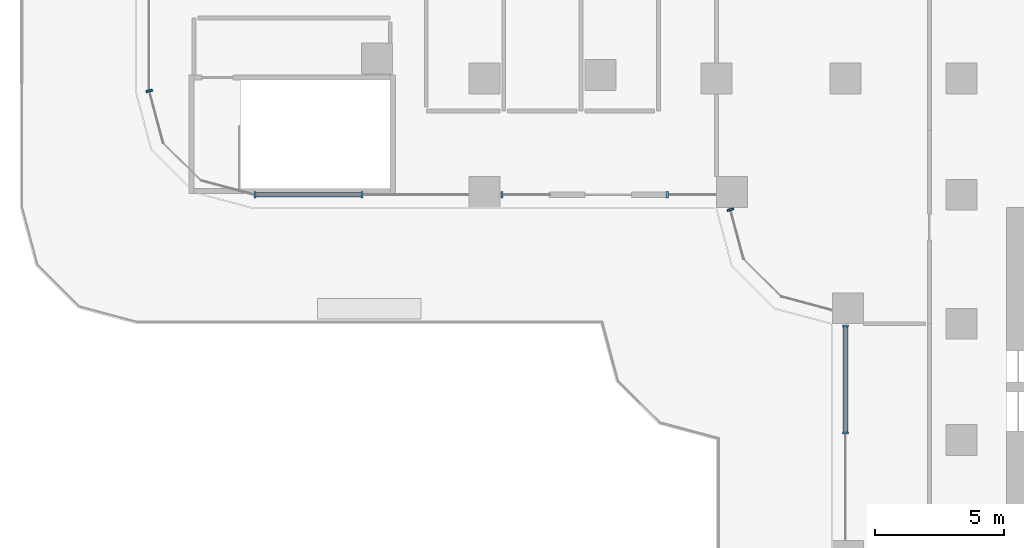
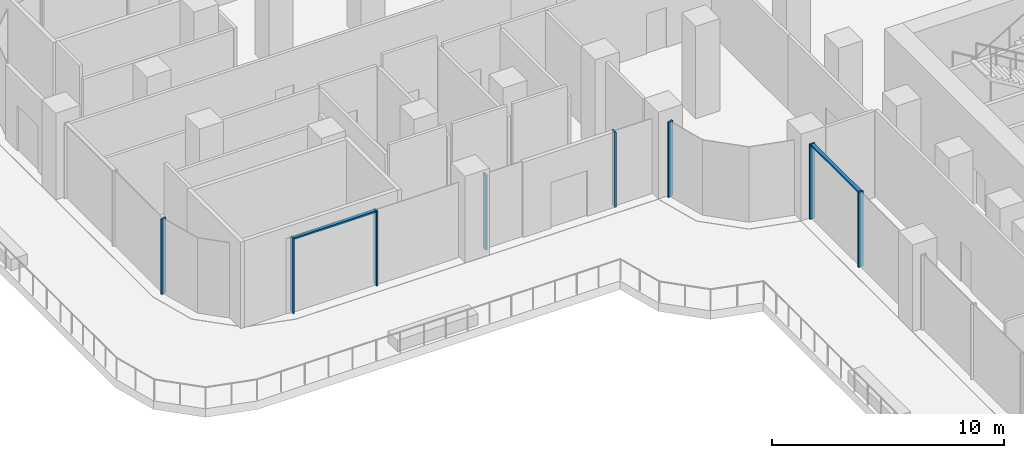
# One storey, part 4 of 21: 10 members, 4 elements without a shape of their own.
"""IFC4 building model written with IfcOpenShell, lengths in metres."""

from ifc_helpers import new_model, si_unit, direction, frame, origin, place, context, subcontext, project, spatial, polyline, outline, extrude, source, transform, mapped, material, type_object, element, aggregate, save


model = new_model("IFC4")

# Units and contexts
model_context = context("Model", 3, precision=1e-05, world=origin(), true_north=direction((0.0, 1.0)))
body_context = subcontext(model_context, "Body", "Model", "MODEL_VIEW")
ifc_project = project(units=[si_unit("LENGTHUNIT", "METRE"), si_unit("AREAUNIT", "SQUARE_METRE"), si_unit("VOLUMEUNIT", "CUBIC_METRE"), si_unit("PLANEANGLEUNIT", "RADIAN"), si_unit("MASSUNIT", "GRAM", prefix="KILO")], contexts=[model_context])

# Site, building, storey
site_placement = place(None, origin())
site = spatial("IfcSite", under=ifc_project, at=site_placement, CompositionType="ELEMENT")
building_placement = place(site_placement, origin())
building = spatial("IfcBuilding", under=site, at=building_placement, Name="Zarbagh Exchange Tower", CompositionType="ELEMENT")
storey_placement = place(building_placement, frame((0.0, 0.0, 22.0)))
storey = spatial("IfcBuildingStorey", under=building, at=storey_placement, Name="L04", CompositionType="ELEMENT", Elevation=22.0)

# Curtain wall, member
ifc_material_1 = material(Name="Anodised aluminium frame and glazing", Category="aluminium")
curtain_wall_type = type_object("IfcCurtainWallType", Name="CWC Podium garden-wall glazing", PredefinedType="NOTDEFINED", material=ifc_material_1)
curtain_wall_1_placement = place(storey_placement, origin())
curtain_wall_1 = element("IfcCurtainWall", 1, at=curtain_wall_1_placement, inside=storey, type_object=curtain_wall_type, Name="CWC223 curtain wall", PredefinedType="NOTDEFINED")
ifc_material_2 = material(Name="Anodised aluminium frame", Category="aluminium")
member_type_1 = type_object("IfcMemberType", Name="TRC Transom, anodised aluminium frame", PredefinedType="USERDEFINED", material=ifc_material_2)
shared_shape_1 = source(origin(), body_context, "Body", "SweptSolid", [
    extrude(outline(polyline([(-0.080078125, -0.090087890625), (0.0, -0.090087890625), (0.0, 0.090087890625), (-0.080078125, 0.090087890625), (-0.080078125, -0.090087890625)])), origin(), (0.0, 0.0, 1.0), 4.067138671875),
])
placement = place(storey_placement, origin())
member_1 = element("IfcMember", 2, at=placement, type_object=member_type_1, Name="CWC223 transom 1.1", ObjectType="TRANSOM", PredefinedType="USERDEFINED", context=body_context, shape_type="MappedRepresentation", body=[
    mapped(shared_shape_1, transform((-33.604248046875, -10.75, 3.949951171875), x_axis=(0.0, 0.0, 1.0), y_axis=(0.0, -1.0, 0.0), z_axis=(1.0, 0.0, 0.0))),
])

curtain_wall_2_placement = place(storey_placement, origin())
curtain_wall_2 = element("IfcCurtainWall", 3, at=curtain_wall_2_placement, inside=storey, type_object=curtain_wall_type, Name="CWC227 curtain wall", PredefinedType="NOTDEFINED")
shared_shape_2 = source(origin(), body_context, "Body", "SweptSolid", [
    extrude(outline(polyline([(-0.080078125, -0.090087890625), (0.0, -0.090087890625), (0.0, 0.090087890625), (-0.080078125, 0.090087890625), (-0.080078125, -0.090087890625)])), origin(), (0.0, 0.0, 1.0), 4.080078125),
])
member_2 = element("IfcMember", 4, at=placement, type_object=member_type_1, Name="CWC227 transom 1.1", ObjectType="TRANSOM", PredefinedType="USERDEFINED", context=body_context, shape_type="MappedRepresentation", body=[
    mapped(shared_shape_2, transform((-10.75, -15.8701171875, 3.949951171875), x_axis=(0.0, 0.0, 1.0), y_axis=(-1.0, 0.0, 0.0), z_axis=(0.0, -1.0, 0.0))),
])

curtain_wall_3_placement = place(storey_placement, origin())
curtain_wall_3 = element("IfcCurtainWall", 5, at=curtain_wall_3_placement, inside=storey, type_object=curtain_wall_type, Name="CWC220 curtain wall", PredefinedType="NOTDEFINED")
member_type_2 = type_object("IfcMemberType", Name="MUC Mullion, anodised aluminium frame", PredefinedType="MULLION", material=ifc_material_2)
shared_shape_3 = source(origin(), body_context, "Body", "SweptSolid", [
    extrude(outline(polyline([(0.0, -0.125), (0.080078125, -0.125), (0.080078125, 0.125), (0.0, 0.125), (0.0, -0.125)])), origin(), (0.0, 0.0, 1.0), 3.949951171875),
])
member_3 = element("IfcMember", 6, at=placement, type_object=member_type_2, Name="CWC220 mullion 1.1", PredefinedType="MULLION", context=body_context, shape_type="MappedRepresentation", body=[
    mapped(shared_shape_3, transform((-37.75, -6.68408203125, 0.0), x_axis=(0.258824779902, -0.965924289636, 0.0), y_axis=(0.965924289636, 0.258824779902, 0.0), z_axis=(0.0, 0.0, 1.0))),
])
aggregate(curtain_wall_3, [member_3])

# Member
member_4 = element("IfcMember", 7, at=placement, type_object=member_type_2, Name="CWC223 mullion 1.1", PredefinedType="MULLION", context=body_context, shape_type="MappedRepresentation", body=[
    mapped(shared_shape_3, transform((-33.68408203125, -10.75, 0.0), x_axis=(1.0, 0.0, 0.0), y_axis=(0.0, 1.0, 0.0), z_axis=(0.0, 0.0, 1.0))),
])

member_5 = element("IfcMember", 8, at=placement, type_object=member_type_2, Name="CWC223 mullion 1.2", PredefinedType="MULLION", context=body_context, shape_type="MappedRepresentation", body=[
    mapped(shared_shape_3, transform((-29.537109375, -10.75, 0.0), x_axis=(1.0, 0.0, 0.0), y_axis=(0.0, 1.0, 0.0), z_axis=(0.0, 0.0, 1.0))),
])

member_6 = element("IfcMember", 9, at=placement, type_object=member_type_2, Name="CWC223 mullion 2.1", PredefinedType="MULLION", context=body_context, shape_type="MappedRepresentation", body=[
    mapped(shared_shape_3, transform((-24.10986328125, -10.75, 0.0), x_axis=(1.0, 0.0, 0.0), y_axis=(0.0, 1.0, 0.0), z_axis=(0.0, 0.0, 1.0))),
])

member_7 = element("IfcMember", 10, at=placement, type_object=member_type_2, Name="CWC223 mullion 3.1", PredefinedType="MULLION", context=body_context, shape_type="MappedRepresentation", body=[
    mapped(shared_shape_3, transform((-17.699951171875, -10.75, 0.0), x_axis=(1.0, 0.0, 0.0), y_axis=(0.0, 1.0, 0.0), z_axis=(0.0, 0.0, 1.0))),
])

aggregate(curtain_wall_1, [member_4, member_1, member_5, member_6, member_7])

# Curtain wall, member
curtain_wall_4_placement = place(storey_placement, origin())
curtain_wall_4 = element("IfcCurtainWall", 11, at=curtain_wall_4_placement, inside=storey, type_object=curtain_wall_type, Name="CWC224 curtain wall", PredefinedType="NOTDEFINED")
member_8 = element("IfcMember", 12, at=placement, type_object=member_type_2, Name="CWC224 mullion 1.1", PredefinedType="MULLION", context=body_context, shape_type="MappedRepresentation", body=[
    mapped(shared_shape_3, transform((-15.2216796875, -11.2900390625, 0.0), x_axis=(0.258824779902, -0.965924289636, 0.0), y_axis=(0.965924289636, 0.258824779902, 0.0), z_axis=(0.0, 0.0, 1.0))),
])
aggregate(curtain_wall_4, [member_8])

# Member
member_9 = element("IfcMember", 13, at=placement, type_object=member_type_2, Name="CWC227 mullion 1.1", PredefinedType="MULLION", context=body_context, shape_type="MappedRepresentation", body=[
    mapped(shared_shape_3, transform((-10.75, -15.7900390625, 0.0), x_axis=(0.0, -1.0, 0.0), y_axis=(1.0, 0.0, 0.0), z_axis=(0.0, 0.0, 1.0))),
])

member_10 = element("IfcMember", 14, at=placement, type_object=member_type_2, Name="CWC227 mullion 1.2", PredefinedType="MULLION", context=body_context, shape_type="MappedRepresentation", body=[
    mapped(shared_shape_3, transform((-10.75, -19.949951171875, 0.0), x_axis=(0.0, -1.0, 0.0), y_axis=(1.0, 0.0, 0.0), z_axis=(0.0, 0.0, 1.0))),
])

aggregate(curtain_wall_2, [member_9, member_2, member_10])

save(model, "model.ifc")
